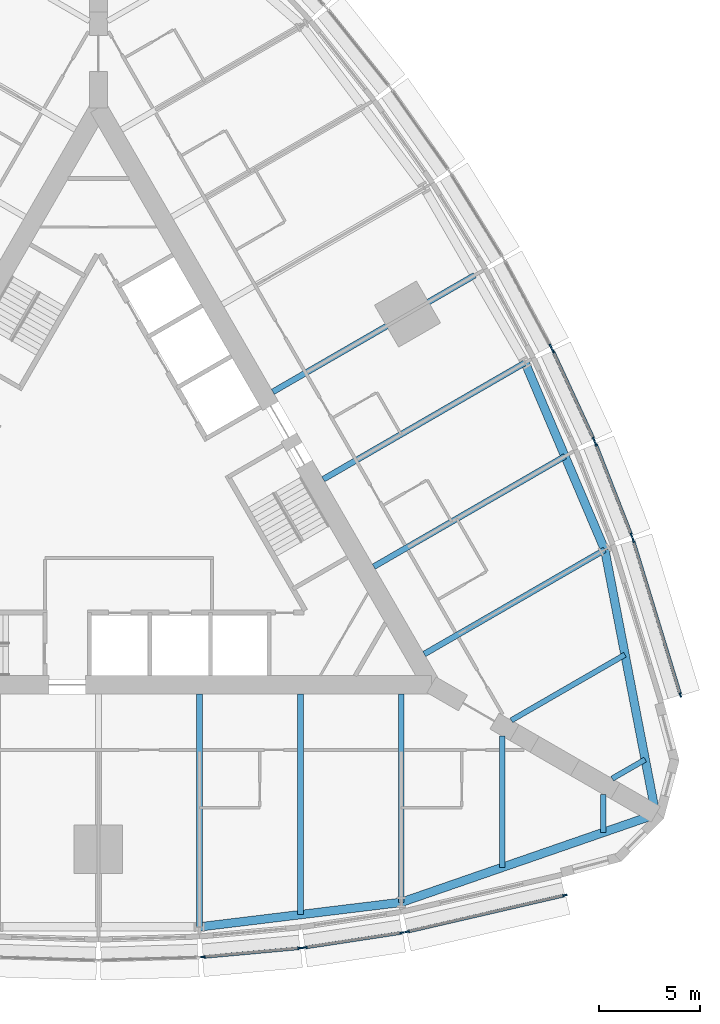
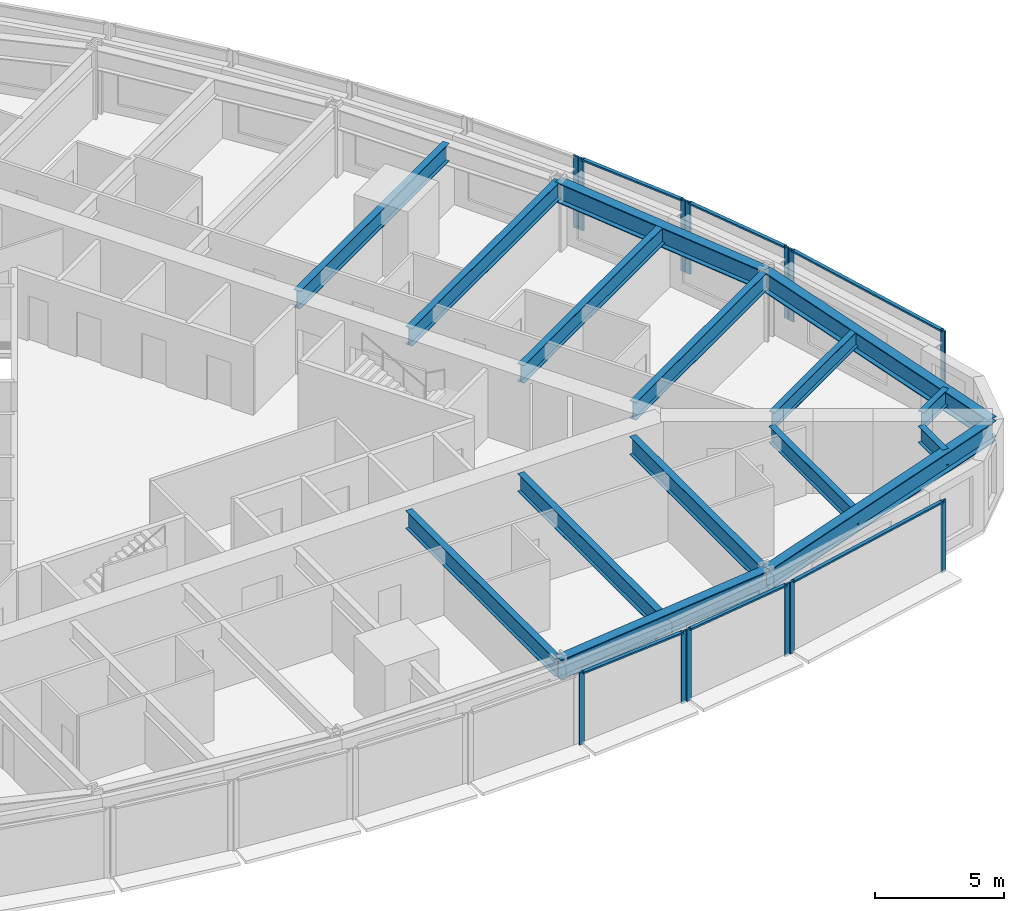
# One storey, part 3 of 14: 19 members, 15 beams, 7 elements without a shape of their own.
"""IFC4 building model written with IfcOpenShell, lengths in metres."""

from ifc_helpers import new_model, si_unit, direction, frame, origin, origin_2d, place, context, subcontext, project, spatial, rectangle, i_section, extrude, material, material_profile, profile_set, type_object, element, aggregate, save


model = new_model("IFC4")

# Units and contexts
model_context = context("Model", 3, precision=1e-05, world=origin(), true_north=direction((0.0, 1.0)))
body_context = subcontext(model_context, "Body", "Model", "MODEL_VIEW")
ifc_project = project(units=[si_unit("LENGTHUNIT", "METRE"), si_unit("AREAUNIT", "SQUARE_METRE"), si_unit("VOLUMEUNIT", "CUBIC_METRE"), si_unit("PLANEANGLEUNIT", "RADIAN"), si_unit("MASSUNIT", "GRAM", prefix="KILO")], contexts=[model_context])

# Site, building, storey
site_placement = place(None, origin())
site = spatial("IfcSite", under=ifc_project, at=site_placement, CompositionType="ELEMENT")
building_placement = place(site_placement, origin())
building = spatial("IfcBuilding", under=site, at=building_placement, Name="Trikona Tower", CompositionType="ELEMENT")
storey_placement = place(building_placement, frame((0.0, 0.0, 48.89990234375)))
storey = spatial("IfcBuildingStorey", under=building, at=storey_placement, Name="L11", CompositionType="ELEMENT", Elevation=48.89990234375)

# Curtain wall, members
ifc_material_1 = material(Name="Aluminium curtain wall system", Category="aluminium")
curtain_wall_type = type_object("IfcCurtainWallType", Name="Curtain wall DS1", PredefinedType="NOTDEFINED", material=ifc_material_1)
curtain_wall_1_placement = place(storey_placement, origin())
curtain_wall_1 = element("IfcCurtainWall", 1, at=curtain_wall_1_placement, inside=storey, type_object=curtain_wall_type, Name="Curtain wall DS1 L11", PredefinedType="NOTDEFINED")
ifc_material_2 = material(Name="Aluminium mullion, pale anodised", Category="aluminium")
ifc_material_profile_1 = material_profile(ifc_material_2, rectangle(XDim=0.080078125, YDim=0.219970703125, at=origin_2d()), Name="MUL-DS1")
ifc_profile_set_1 = profile_set([ifc_material_profile_1], Name="Aluminium mullion, pale anodised")
member_type_1 = type_object("IfcMemberType", Name="Mullion DS1 80x220", PredefinedType="MULLION", material=ifc_profile_set_1)
member_1_placement = place(storey_placement, frame((5.181396484375, -23.007568359375, 0.0), z_axis=(0.0, 0.0, 1.0), x_axis=(-0.090923932737, 0.995857840485, 0.0)))
member_1 = element("IfcMember", 2, at=member_1_placement, type_object=member_type_1, Name="CW-DS1 mullion 1", PredefinedType="MULLION", context=body_context, shape_type="SweptSolid", body=[
    extrude(rectangle(XDim=0.080078125, YDim=0.219970703125, at=origin_2d()), origin(), (0.0, 0.0, 1.0), 3.400146484375),
])
member_2_placement = place(storey_placement, frame((9.982177734375, -22.5693359375, 0.0), z_axis=(0.0, 0.0, 1.0), x_axis=(-0.090923932737, 0.995857840485, 0.0)))
member_2 = element("IfcMember", 3, at=member_2_placement, type_object=member_type_1, Name="CW-DS1 mullion 2", PredefinedType="MULLION", context=body_context, shape_type="SweptSolid", body=[
    extrude(rectangle(XDim=0.080078125, YDim=0.219970703125, at=origin_2d()), origin(), (0.0, 0.0, 1.0), 3.400146484375),
])

curtain_wall_2_placement = place(storey_placement, origin())
curtain_wall_2 = element("IfcCurtainWall", 4, at=curtain_wall_2_placement, inside=storey, type_object=curtain_wall_type, Name="Curtain wall DS1 L11", PredefinedType="NOTDEFINED")
member_3_placement = place(storey_placement, frame((10.234130859375, -22.53857421875, 0.0), z_axis=(0.0, 0.0, 1.0), x_axis=(-0.150437693845, 0.988619492156, 0.0)))
member_3 = element("IfcMember", 5, at=member_3_placement, type_object=member_type_1, Name="CW-DS1 mullion 1", PredefinedType="MULLION", context=body_context, shape_type="SweptSolid", body=[
    extrude(rectangle(XDim=0.080078125, YDim=0.219970703125, at=origin_2d()), origin(), (0.0, 0.0, 1.0), 3.400146484375),
])
member_4_placement = place(storey_placement, frame((15.03662109375, -21.807861328125, 0.0), z_axis=(0.0, 0.0, 1.0), x_axis=(-0.150437693845, 0.988619492156, 0.0)))
member_4 = element("IfcMember", 6, at=member_4_placement, type_object=member_type_1, Name="CW-DS1 mullion 2", PredefinedType="MULLION", context=body_context, shape_type="SweptSolid", body=[
    extrude(rectangle(XDim=0.080078125, YDim=0.219970703125, at=origin_2d()), origin(), (0.0, 0.0, 1.0), 3.400146484375),
])

curtain_wall_3_placement = place(storey_placement, origin())
curtain_wall_3 = element("IfcCurtainWall", 7, at=curtain_wall_3_placement, inside=storey, type_object=curtain_wall_type, Name="Curtain wall DS1 L11", PredefinedType="NOTDEFINED")
member_5_placement = place(storey_placement, frame((15.30029296875, -21.75732421875, 0.0), z_axis=(0.0, 0.0, 1.0), x_axis=(-0.225343288756, 0.974279427173, 0.0)))
member_5 = element("IfcMember", 8, at=member_5_placement, type_object=member_type_1, Name="CW-DS1 mullion 1", PredefinedType="MULLION", context=body_context, shape_type="SweptSolid", body=[
    extrude(rectangle(XDim=0.080078125, YDim=0.219970703125, at=origin_2d()), origin(), (0.0, 0.0, 1.0), 3.400146484375),
])
member_6_placement = place(storey_placement, frame((23.10546875, -19.951904296875, 0.0), z_axis=(0.0, 0.0, 1.0), x_axis=(-0.225343288756, 0.974279427173, 0.0)))
member_6 = element("IfcMember", 9, at=member_6_placement, type_object=member_type_1, Name="CW-DS1 mullion 2", PredefinedType="MULLION", context=body_context, shape_type="SweptSolid", body=[
    extrude(rectangle(XDim=0.080078125, YDim=0.219970703125, at=origin_2d()), origin(), (0.0, 0.0, 1.0), 3.400146484375),
])

curtain_wall_4_placement = place(storey_placement, origin())
curtain_wall_4 = element("IfcCurtainWall", 10, at=curtain_wall_4_placement, inside=storey, type_object=curtain_wall_type, Name="Curtain wall DS1 L11", PredefinedType="NOTDEFINED")
member_7_placement = place(storey_placement, frame((28.83154296875, -10.033935546875, 0.0), z_axis=(0.0, 0.0, 1.0), x_axis=(-0.956423115383, -0.291984287868, 0.0)))
member_7 = element("IfcMember", 11, at=member_7_placement, type_object=member_type_1, Name="CW-DS1 mullion 1", PredefinedType="MULLION", context=body_context, shape_type="SweptSolid", body=[
    extrude(rectangle(XDim=0.080078125, YDim=0.219970703125, at=origin_2d()), origin(), (0.0, 0.0, 1.0), 3.400146484375),
])
member_8_placement = place(storey_placement, frame((26.492431640625, -2.371826171875, 0.0), z_axis=(0.0, 0.0, 1.0), x_axis=(-0.956423115383, -0.291984287868, 0.0)))
member_8 = element("IfcMember", 12, at=member_8_placement, type_object=member_type_1, Name="CW-DS1 mullion 2", PredefinedType="MULLION", context=body_context, shape_type="SweptSolid", body=[
    extrude(rectangle(XDim=0.080078125, YDim=0.219970703125, at=origin_2d()), origin(), (0.0, 0.0, 1.0), 3.400146484375),
])

curtain_wall_5_placement = place(storey_placement, origin())
curtain_wall_5 = element("IfcCurtainWall", 13, at=curtain_wall_5_placement, inside=storey, type_object=curtain_wall_type, Name="Curtain wall DS1 L11", PredefinedType="NOTDEFINED")
member_9_placement = place(storey_placement, frame((26.404296875, -2.1181640625, 0.0), z_axis=(0.0, 0.0, 1.0), x_axis=(-0.931395989443, -0.36400756977, 0.0)))
member_9 = element("IfcMember", 14, at=member_9_placement, type_object=member_type_1, Name="CW-DS1 mullion 1", PredefinedType="MULLION", context=body_context, shape_type="SweptSolid", body=[
    extrude(rectangle(XDim=0.080078125, YDim=0.219970703125, at=origin_2d()), origin(), (0.0, 0.0, 1.0), 3.400146484375),
])
member_10_placement = place(storey_placement, frame((24.63623046875, 2.40625, 0.0), z_axis=(0.0, 0.0, 1.0), x_axis=(-0.931395989443, -0.36400756977, 0.0)))
member_10 = element("IfcMember", 15, at=member_10_placement, type_object=member_type_1, Name="CW-DS1 mullion 2", PredefinedType="MULLION", context=body_context, shape_type="SweptSolid", body=[
    extrude(rectangle(XDim=0.080078125, YDim=0.219970703125, at=origin_2d()), origin(), (0.0, 0.0, 1.0), 3.400146484375),
])

curtain_wall_6_placement = place(storey_placement, origin())
curtain_wall_6 = element("IfcCurtainWall", 16, at=curtain_wall_6_placement, inside=storey, type_object=curtain_wall_type, Name="Curtain wall DS1 L11", PredefinedType="NOTDEFINED")
member_11_placement = place(storey_placement, frame((24.53662109375, 2.6396484375, 0.0), z_axis=(0.0, 0.0, 1.0), x_axis=(-0.907898459992, -0.419190155352, 0.0)))
member_11 = element("IfcMember", 17, at=member_11_placement, type_object=member_type_1, Name="CW-DS1 mullion 1", PredefinedType="MULLION", context=body_context, shape_type="SweptSolid", body=[
    extrude(rectangle(XDim=0.080078125, YDim=0.219970703125, at=origin_2d()), origin(), (0.0, 0.0, 1.0), 3.400146484375),
])
member_12_placement = place(storey_placement, frame((22.515869140625, 7.0166015625, 0.0), z_axis=(0.0, 0.0, 1.0), x_axis=(-0.907898459992, -0.419190155352, 0.0)))
member_12 = element("IfcMember", 18, at=member_12_placement, type_object=member_type_1, Name="CW-DS1 mullion 2", PredefinedType="MULLION", context=body_context, shape_type="SweptSolid", body=[
    extrude(rectangle(XDim=0.080078125, YDim=0.219970703125, at=origin_2d()), origin(), (0.0, 0.0, 1.0), 3.400146484375),
])

# Curtain wall, member
curtain_wall_7_placement = place(storey_placement, origin())
curtain_wall_7 = element("IfcCurtainWall", 19, at=curtain_wall_7_placement, inside=storey, type_object=curtain_wall_type, Name="Curtain wall DS1 L11", PredefinedType="NOTDEFINED")
member_13_placement = place(storey_placement, frame((22.402099609375, 7.244140625, 0.0), z_axis=(0.0, 0.0, 1.0), x_axis=(-0.880843080975, -0.473408350896, 0.0)))
member_13 = element("IfcMember", 20, at=member_13_placement, type_object=member_type_1, Name="CW-DS1 mullion 1", PredefinedType="MULLION", context=body_context, shape_type="SweptSolid", body=[
    extrude(rectangle(XDim=0.080078125, YDim=0.219970703125, at=origin_2d()), origin(), (0.0, 0.0, 1.0), 3.400146484375),
])
aggregate(curtain_wall_7, [member_13])

# Beams
ifc_material_3 = material(Name="Steel ASTM A992 Grade 50", Category="steel")
ifc_material_profile_2 = material_profile(ifc_material_3, i_section(OverallWidth=0.2666015625, OverallDepth=0.76953125, WebThickness=0.015625, FlangeThickness=0.025390625, at=origin_2d()), Name="W30X132")
ifc_profile_set_2 = profile_set([ifc_material_profile_2], Name="Steel ASTM A992 Grade 50")
beam_type_1 = type_object("IfcBeamType", Name="Steel beam W30x132 (wedge)", PredefinedType="BEAM", material=ifc_profile_set_2)
beam_1_placement = place(storey_placement, frame((20.0, -12.066650390625, 2.850341796875), z_axis=(0.0, -1.0, 0.0), x_axis=(1.0, 0.0, 0.0)))
element("IfcBeam", 21, at=beam_1_placement, inside=storey, type_object=beam_type_1, Name="Floor beam L12 F1 u20", PredefinedType="BEAM", context=body_context, shape_type="SweptSolid", body=[
    extrude(i_section(OverallWidth=0.2666015625, OverallDepth=0.76953125, WebThickness=0.015625, FlangeThickness=0.025390625, at=origin_2d()), origin(), (0.0, 0.0, 1.0), 6.5068359375),
])
for number, where, z_axis, x_axis, name in (
    (22, (25.0, -14.953369140625, 2.850341796875), (0.0, -1.0, 0.0), (1.0, 0.0, 0.0), "Floor beam L12 F1 u25"),
    (23, (25.449951171875, -14.173828125, 2.850341796875), (0.866065156741, 0.499931139538, 0.0), (-0.499931139538, 0.866065156741, 0.0), "Floor beam L12 F2 u-25"),
):
    element("IfcBeam", number, at=place(storey_placement, frame(where, z_axis=z_axis, x_axis=x_axis)), inside=storey, type_object=beam_type_1, Name=name, PredefinedType="BEAM", context=body_context, shape_type="SweptSolid", body=[
        extrude(i_section(OverallWidth=0.2666015625, OverallDepth=0.76953125, WebThickness=0.015625, FlangeThickness=0.025390625, at=origin_2d()), origin(), (0.0, 0.0, 1.0), 1.890380859375),
    ])
beam_2_placement = place(storey_placement, frame((20.449951171875, -11.287109375, 2.850341796875), z_axis=(0.866022504693, 0.50000502134, 0.0), x_axis=(-0.50000502134, 0.866022504693, 0.0)))
element("IfcBeam", 24, at=beam_2_placement, inside=storey, type_object=beam_type_1, Name="Floor beam L12 F2 u-20", PredefinedType="BEAM", context=body_context, shape_type="SweptSolid", body=[
    extrude(i_section(OverallWidth=0.2666015625, OverallDepth=0.76953125, WebThickness=0.015625, FlangeThickness=0.025390625, at=origin_2d()), origin(), (0.0, 0.0, 1.0), 6.5068359375),
])
ifc_material_4 = material(Name="Steel ASTM A992 Grade 50", Category="steel")
ifc_material_profile_3 = material_profile(ifc_material_4, i_section(OverallWidth=0.2919921875, OverallDepth=0.845703125, WebThickness=0.015380859375, FlangeThickness=0.0244140625, at=origin_2d()), Name="W33X141")
ifc_profile_set_3 = profile_set([ifc_material_profile_3], Name="Steel ASTM A992 Grade 50")
beam_type_2 = type_object("IfcBeamType", Name="Steel beam W33x141 (radial typ)", PredefinedType="BEAM", material=ifc_profile_set_3)
beam_3_placement = place(storey_placement, frame((5.0, -9.976318359375, 2.812255859375), z_axis=(0.0, -1.0, 0.0), x_axis=(1.0, 0.0, 0.0)))
element("IfcBeam", 25, at=beam_3_placement, inside=storey, type_object=beam_type_2, Name="Floor beam L12 F1 u5", PredefinedType="BEAM", context=body_context, shape_type="SweptSolid", body=[
    extrude(i_section(OverallWidth=0.2919921875, OverallDepth=0.845703125, WebThickness=0.015380859375, FlangeThickness=0.0244140625, at=origin_2d()), origin(), (0.0, 0.0, 1.0), 11.544189453125),
])
beam_4_placement = place(storey_placement, frame((10.0, -9.976318359375, 2.812255859375), z_axis=(0.0, -1.0, 0.0), x_axis=(1.0, 0.0, 0.0)))
element("IfcBeam", 26, at=beam_4_placement, inside=storey, type_object=beam_type_2, Name="Floor beam L12 F1 u10", PredefinedType="BEAM", context=body_context, shape_type="SweptSolid", body=[
    extrude(i_section(OverallWidth=0.2919921875, OverallDepth=0.845703125, WebThickness=0.015380859375, FlangeThickness=0.0244140625, at=origin_2d()), origin(), (0.0, 0.0, 1.0), 10.935302734375),
])
beam_5_placement = place(storey_placement, frame((15.0, -9.976318359375, 2.812255859375), z_axis=(0.0, -1.0, 0.0), x_axis=(1.0, 0.0, 0.0)))
element("IfcBeam", 27, at=beam_5_placement, inside=storey, type_object=beam_type_2, Name="Floor beam L12 F1 u15", PredefinedType="BEAM", context=body_context, shape_type="SweptSolid", body=[
    extrude(i_section(OverallWidth=0.2919921875, OverallDepth=0.845703125, WebThickness=0.015380859375, FlangeThickness=0.0244140625, at=origin_2d()), origin(), (0.0, 0.0, 1.0), 10.32666015625),
])
beam_6_placement = place(storey_placement, frame((16.1396484375, -8.002197265625, 2.812255859375), z_axis=(0.866030471684, 0.499991222037, 0.0), x_axis=(-0.499991222037, 0.866030471684, 0.0)))
element("IfcBeam", 28, at=beam_6_placement, inside=storey, type_object=beam_type_2, Name="Floor beam L12 F2 u-15", PredefinedType="BEAM", context=body_context, shape_type="SweptSolid", body=[
    extrude(i_section(OverallWidth=0.2919921875, OverallDepth=0.845703125, WebThickness=0.015380859375, FlangeThickness=0.0244140625, at=origin_2d()), origin(), (0.0, 0.0, 1.0), 10.326904296875),
])
beam_7_placement = place(storey_placement, frame((13.6396484375, -3.672119140625, 2.812255859375), z_axis=(0.866025348605, 0.500000095573, 0.0), x_axis=(-0.500000095573, 0.866025348605, 0.0)))
element("IfcBeam", 29, at=beam_7_placement, inside=storey, type_object=beam_type_2, Name="Floor beam L12 F2 u-10", PredefinedType="BEAM", context=body_context, shape_type="SweptSolid", body=[
    extrude(i_section(OverallWidth=0.2919921875, OverallDepth=0.845703125, WebThickness=0.015380859375, FlangeThickness=0.0244140625, at=origin_2d()), origin(), (0.0, 0.0, 1.0), 10.935546875),
])
for number, where, z_axis, x_axis, name in (
    (30, (11.1396484375, 0.657958984375, 2.812255859375), (0.866020765707, 0.500008033299, 0.0), (-0.500008033299, 0.866020765707, 0.0), "Floor beam L12 F2 u-5"),
    (31, (8.6396484375, 4.988037109375, 2.812255859375), (0.866020765707, 0.500008033299, 0.0), (-0.500008033299, 0.866020765707, 0.0), "Floor beam L12 F2 u0"),
):
    element("IfcBeam", number, at=place(storey_placement, frame(where, z_axis=z_axis, x_axis=x_axis)), inside=storey, type_object=beam_type_2, Name=name, PredefinedType="BEAM", context=body_context, shape_type="SweptSolid", body=[
        extrude(i_section(OverallWidth=0.2919921875, OverallDepth=0.845703125, WebThickness=0.015380859375, FlangeThickness=0.0244140625, at=origin_2d()), origin(), (0.0, 0.0, 1.0), 11.544189453125),
    ])
ifc_material_5 = material(Name="Steel ASTM A992 Grade 50", Category="steel")
ifc_material_profile_4 = material_profile(ifc_material_5, i_section(OverallWidth=0.424072265625, OverallDepth=0.947509765625, WebThickness=0.02392578125, FlangeThickness=0.042724609375, at=origin_2d()), Name="W36X302")
ifc_profile_set_4 = profile_set([ifc_material_profile_4], Name="Steel ASTM A992 Grade 50")
beam_type_3 = type_object("IfcBeamType", Name="Steel beam W36x302 (spandrel)", PredefinedType="SPANDREL", material=ifc_profile_set_4)
beam_8_placement = place(storey_placement, frame((5.0, -21.5205078125, 2.761474609375), z_axis=(0.99266951126, 0.120860421207, 0.0), x_axis=(-0.120860421207, 0.99266951126, 0.0)))
element("IfcBeam", 32, at=beam_8_placement, inside=storey, type_object=beam_type_3, Name="Spandrel beam L12 F1-4", PredefinedType="SPANDREL", context=body_context, shape_type="SweptSolid", body=[
    extrude(i_section(OverallWidth=0.424072265625, OverallDepth=0.947509765625, WebThickness=0.02392578125, FlangeThickness=0.042724609375, at=origin_2d()), origin(), (0.0, 0.0, 1.0), 10.07373046875),
])
for number, where, z_axis, x_axis, name in (
    (33, (15.0, -20.302978515625, 2.761474609375), (0.945056965739, 0.326905692071, 0.0), (-0.326905692071, 0.945056965739, 0.0), "Spandrel beam L12 F1-5"),
    (34, (27.6103515625, -15.94091796875, 2.761474609375), (-0.189405184036, 0.981899015307, 0.0), (-0.981899015307, -0.189405184036, 0.0), "Spandrel beam L12 F2-1"),
):
    element("IfcBeam", number, at=place(storey_placement, frame(where, z_axis=z_axis, x_axis=x_axis)), inside=storey, type_object=beam_type_3, Name=name, PredefinedType="SPANDREL", context=body_context, shape_type="SweptSolid", body=[
        extrude(i_section(OverallWidth=0.424072265625, OverallDepth=0.947509765625, WebThickness=0.02392578125, FlangeThickness=0.042724609375, at=origin_2d()), origin(), (0.0, 0.0, 1.0), 13.343505859375),
    ])
beam_9_placement = place(storey_placement, frame((25.0830078125, -2.8388671875, 2.761474609375), z_axis=(-0.391683514847, 0.920100007715, 0.0), x_axis=(-0.920100007715, -0.391683514847, 0.0)))
element("IfcBeam", 35, at=beam_9_placement, inside=storey, type_object=beam_type_3, Name="Spandrel beam L12 F2-2", PredefinedType="SPANDREL", context=body_context, shape_type="SweptSolid", body=[
    extrude(i_section(OverallWidth=0.424072265625, OverallDepth=0.947509765625, WebThickness=0.02392578125, FlangeThickness=0.042724609375, at=origin_2d()), origin(), (0.0, 0.0, 1.0), 10.073974609375),
])

# Member
ifc_material_6 = material(Name="Aluminium transom, pale anodised", Category="aluminium")
ifc_material_profile_5 = material_profile(ifc_material_6, rectangle(XDim=0.159912109375, YDim=0.080078125, at=origin_2d()), Name="TRN-DS1")
ifc_profile_set_5 = profile_set([ifc_material_profile_5], Name="Aluminium transom, pale anodised")
member_type_2 = type_object("IfcMemberType", Name="Transom DS1 80x160", PredefinedType="USERDEFINED", material=ifc_profile_set_5)
member_14_placement = place(storey_placement, frame((5.22119140625, -23.00390625, 3.360107421875), z_axis=(0.995855977008, 0.090944340438, 0.0), x_axis=(-0.090944340438, 0.995855977008, 0.0)))
member_14 = element("IfcMember", 36, at=member_14_placement, type_object=member_type_2, Name="CW-DS1 transom 1.1", ObjectType="TRANSOM", PredefinedType="USERDEFINED", context=body_context, shape_type="SweptSolid", body=[
    extrude(rectangle(XDim=0.159912109375, YDim=0.080078125, at=origin_2d()), origin(), (0.0, 0.0, 1.0), 4.74072265625),
])

aggregate(curtain_wall_1, [member_1, member_2, member_14])

member_15_placement = place(storey_placement, frame((10.273681640625, -22.532470703125, 3.360107421875), z_axis=(0.988619663412, 0.150436568413, 0.0), x_axis=(-0.150436568413, 0.988619663412, 0.0)))
member_15 = element("IfcMember", 37, at=member_15_placement, type_object=member_type_2, Name="CW-DS1 transom 1.1", ObjectType="TRANSOM", PredefinedType="USERDEFINED", context=body_context, shape_type="SweptSolid", body=[
    extrude(rectangle(XDim=0.159912109375, YDim=0.080078125, at=origin_2d()), origin(), (0.0, 0.0, 1.0), 4.77783203125),
])

aggregate(curtain_wall_2, [member_3, member_4, member_15])

member_16_placement = place(storey_placement, frame((15.33935546875, -21.748291015625, 3.360107421875), z_axis=(0.974275371842, 0.225360821398, 0.0), x_axis=(-0.225360821398, 0.974275371842, 0.0)))
member_16 = element("IfcMember", 38, at=member_16_placement, type_object=member_type_2, Name="CW-DS1 transom 1.1", ObjectType="TRANSOM", PredefinedType="USERDEFINED", context=body_context, shape_type="SweptSolid", body=[
    extrude(rectangle(XDim=0.159912109375, YDim=0.080078125, at=origin_2d()), origin(), (0.0, 0.0, 1.0), 7.93115234375),
])

aggregate(curtain_wall_3, [member_5, member_6, member_16])

member_17_placement = place(storey_placement, frame((28.81982421875, -9.99560546875, 3.360107421875), z_axis=(-0.291967490203, 0.956428243343, 0.0), x_axis=(-0.956428243343, -0.291967490203, 0.0)))
member_17 = element("IfcMember", 39, at=member_17_placement, type_object=member_type_2, Name="CW-DS1 transom 1.1", ObjectType="TRANSOM", PredefinedType="USERDEFINED", context=body_context, shape_type="SweptSolid", body=[
    extrude(rectangle(XDim=0.159912109375, YDim=0.080078125, at=origin_2d()), origin(), (0.0, 0.0, 1.0), 7.93115234375),
])

aggregate(curtain_wall_4, [member_7, member_8, member_17])

member_18_placement = place(storey_placement, frame((26.389892578125, -2.080810546875, 3.360107421875), z_axis=(-0.364048647668, 0.931379934362, 0.0), x_axis=(-0.931379934362, -0.364048647668, 0.0)))
member_18 = element("IfcMember", 40, at=member_18_placement, type_object=member_type_2, Name="CW-DS1 transom 1.1", ObjectType="TRANSOM", PredefinedType="USERDEFINED", context=body_context, shape_type="SweptSolid", body=[
    extrude(rectangle(XDim=0.159912109375, YDim=0.080078125, at=origin_2d()), origin(), (0.0, 0.0, 1.0), 4.777587890625),
])

aggregate(curtain_wall_5, [member_9, member_10, member_18])

member_19_placement = place(storey_placement, frame((24.52001953125, 2.676025390625, 3.360107421875), z_axis=(-0.419188800665, 0.90789908547, 0.0), x_axis=(-0.90789908547, -0.419188800665, 0.0)))
member_19 = element("IfcMember", 41, at=member_19_placement, type_object=member_type_2, Name="CW-DS1 transom 1.1", ObjectType="TRANSOM", PredefinedType="USERDEFINED", context=body_context, shape_type="SweptSolid", body=[
    extrude(rectangle(XDim=0.159912109375, YDim=0.080078125, at=origin_2d()), origin(), (0.0, 0.0, 1.0), 4.74072265625),
])

aggregate(curtain_wall_6, [member_11, member_12, member_19])

save(model, "model.ifc")
